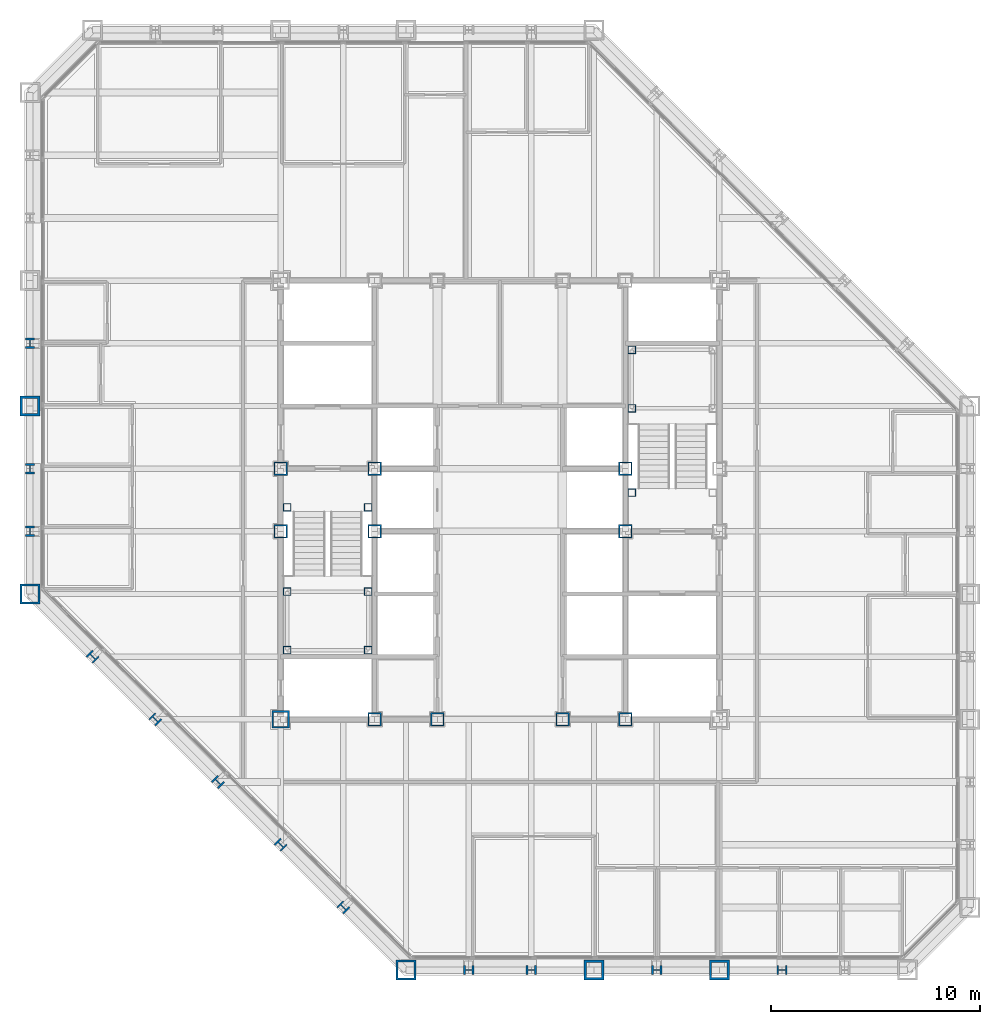
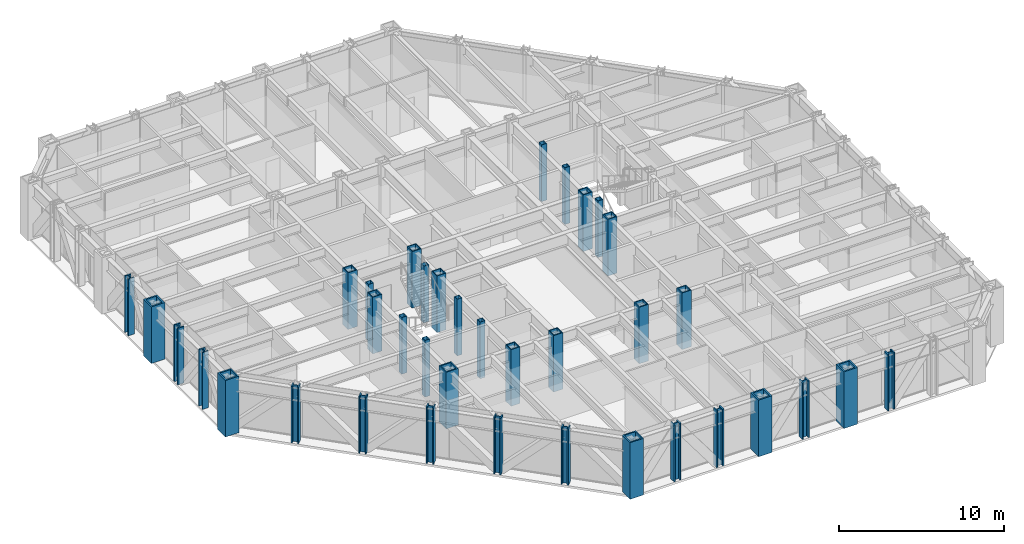
# One storey, part 1 of 16: 37 columns.
"""IFC4 building model written with IfcOpenShell, lengths in metres."""

from ifc_helpers import new_model, si_unit, direction, frame, origin, origin_2d, place, context, subcontext, project, spatial, hollow_rectangle, i_section, extrude, material, material_profile, profile_set, type_object, element, save


model = new_model("IFC4")

# Units and contexts
model_context = context("Model", 3, precision=1e-05, world=origin(), true_north=direction((0.0, 1.0)))
body_context = subcontext(model_context, "Body", "Model", "MODEL_VIEW")
ifc_project = project(units=[si_unit("LENGTHUNIT", "METRE"), si_unit("AREAUNIT", "SQUARE_METRE"), si_unit("VOLUMEUNIT", "CUBIC_METRE"), si_unit("PLANEANGLEUNIT", "RADIAN"), si_unit("MASSUNIT", "GRAM", prefix="KILO")], contexts=[model_context])

# Site, building, storey
site_placement = place(None, origin())
site = spatial("IfcSite", under=ifc_project, at=site_placement, CompositionType="ELEMENT")
building_placement = place(site_placement, origin())
building = spatial("IfcBuilding", under=site, at=building_placement, Name="Chuquiago Exchange Tower", CompositionType="ELEMENT")
storey_placement = place(building_placement, frame((0.0, 0.0, 157.199951171875)))
storey = spatial("IfcBuildingStorey", under=building, at=storey_placement, Name="L34", CompositionType="ELEMENT", Elevation=157.199951171875)

# Columns
ifc_material_1 = material(Name="Steel ASTM A992", Category="steel")
ifc_material_profile_1 = material_profile(ifc_material_1, i_section(OverallWidth=0.431884765625, OverallDepth=0.497802734375, WebThickness=0.0556640625, FlangeThickness=0.0888671875, at=origin_2d()), Name="W14X500")
ifc_profile_set_1 = profile_set([ifc_material_profile_1], Name="Steel ASTM A992")
column_type_1 = type_object("IfcColumnType", Name="C7 W14X500", PredefinedType="COLUMN", material=ifc_profile_set_1)
for number, where, z_axis, x_axis, name in (
    (1, (21.0, 0.0, 0.0), (0.0, 0.0, 1.0), (0.0, -1.0, 0.0), "COL-L34-21_0"),
    (2, (24.0, 0.0, 0.0), (0.0, 0.0, 1.0), (0.0, -1.0, 0.0), "COL-L34-24_0"),
    (3, (30.0, 0.0, 0.0), (0.0, 0.0, 1.0), (0.0, -1.0, 0.0), "COL-L34-30_0"),
    (4, (36.0, 0.0, 0.0), (0.0, 0.0, 1.0), (0.0, -1.0, 0.0), "COL-L34-36_0"),
    (5, (0.0, 30.0, 0.0), (0.0, 0.0, 1.0), (-1.0, 0.0, 0.0), "COL-L34-0_30"),
    (6, (0.0, 24.0, 0.0), (0.0, 0.0, 1.0), (-1.0, 0.0, 0.0), "COL-L34-0_24"),
    (7, (0.0, 21.0, 0.0), (0.0, 0.0, 1.0), (-1.0, 0.0, 0.0), "COL-L34-0_21"),
):
    element("IfcColumn", number, at=place(storey_placement, frame(where, z_axis=z_axis, x_axis=x_axis)), inside=storey, type_object=column_type_1, Name=name, PredefinedType="COLUMN", context=body_context, shape_type="SweptSolid", body=[
        extrude(i_section(OverallWidth=0.431884765625, OverallDepth=0.497802734375, WebThickness=0.0556640625, FlangeThickness=0.0888671875, at=origin_2d()), origin(), (0.0, 0.0, 1.0), 4.199951171875),
    ])
ifc_material_2 = material(Name="Steel ASTM A572 Grade 50", Category="steel")
ifc_material_profile_2 = material_profile(ifc_material_2, hollow_rectangle(XDim=0.85009765625, YDim=0.85009765625, WallThickness=0.0849609375, at=origin_2d()), Name="BOX850X850X85")
ifc_profile_set_2 = profile_set([ifc_material_profile_2], Name="Steel ASTM A572 Grade 50")
column_type_2 = type_object("IfcColumnType", Name="CC6 BOX850X850X85", PredefinedType="COLUMN", material=ifc_profile_set_2)
column_placement = place(storey_placement, frame((12.0, 12.0, 0.0), z_axis=(0.0, 0.0, 1.0), x_axis=(1.0, 0.0, 0.0)))
element("IfcColumn", 8, at=column_placement, inside=storey, type_object=column_type_2, Name="CCOL-L34-12_12", PredefinedType="COLUMN", context=body_context, shape_type="SweptSolid", body=[
    extrude(hollow_rectangle(XDim=0.85009765625, YDim=0.85009765625, WallThickness=0.0849609375, at=origin_2d()), origin(), (0.0, 0.0, 1.0), 4.199951171875),
])
ifc_material_3 = material(Name="Steel ASTM A572 Grade 50", Category="steel")
ifc_material_profile_3 = material_profile(ifc_material_3, hollow_rectangle(XDim=0.64990234375, YDim=0.64990234375, WallThickness=0.06494140625, at=origin_2d()), Name="BOX650X650X65")
ifc_profile_set_3 = profile_set([ifc_material_profile_3], Name="Steel ASTM A572 Grade 50")
column_type_3 = type_object("IfcColumnType", Name="CC7 BOX650X650X65", PredefinedType="COLUMN", material=ifc_profile_set_3)
for number, where, z_axis, x_axis, name in (
    (9, (16.5, 12.0, 0.0), (0.0, 0.0, 1.0), (1.0, 0.0, 0.0), "CCOL-L34-16.5_12"),
    (10, (19.5, 12.0, 0.0), (0.0, 0.0, 1.0), (1.0, 0.0, 0.0), "CCOL-L34-19.5_12"),
    (11, (25.5, 12.0, 0.0), (0.0, 0.0, 1.0), (1.0, 0.0, 0.0), "CCOL-L34-25.5_12"),
    (12, (28.5, 12.0, 0.0), (0.0, 0.0, 1.0), (1.0, 0.0, 0.0), "CCOL-L34-28.5_12"),
    (13, (12.0, 21.0, 0.0), (0.0, 0.0, 1.0), (1.0, 0.0, 0.0), "CCOL-L34-12_21"),
    (14, (12.0, 24.0, 0.0), (0.0, 0.0, 1.0), (1.0, 0.0, 0.0), "CCOL-L34-12_24"),
    (15, (16.5, 21.0, 0.0), (0.0, 0.0, 1.0), (1.0, 0.0, 0.0), "CCOL-L34-16.5_21"),
    (16, (16.5, 24.0, 0.0), (0.0, 0.0, 1.0), (1.0, 0.0, 0.0), "CCOL-L34-16.5_24"),
    (17, (28.5, 21.0, 0.0), (0.0, 0.0, 1.0), (1.0, 0.0, 0.0), "CCOL-L34-28.5_21"),
    (18, (28.5, 24.0, 0.0), (0.0, 0.0, 1.0), (1.0, 0.0, 0.0), "CCOL-L34-28.5_24"),
):
    element("IfcColumn", number, at=place(storey_placement, frame(where, z_axis=z_axis, x_axis=x_axis)), inside=storey, type_object=column_type_3, Name=name, PredefinedType="COLUMN", context=body_context, shape_type="SweptSolid", body=[
        extrude(hollow_rectangle(XDim=0.64990234375, YDim=0.64990234375, WallThickness=0.06494140625, at=origin_2d()), origin(), (0.0, 0.0, 1.0), 4.199951171875),
    ])
ifc_material_4 = material(Name="Steel ASTM A992", Category="steel")
ifc_material_profile_4 = material_profile(ifc_material_4, i_section(OverallWidth=0.4267578125, OverallDepth=0.482666015625, WebThickness=0.05126953125, FlangeThickness=0.08154296875, at=origin_2d()), Name="W14X455")
ifc_profile_set_4 = profile_set([ifc_material_profile_4], Name="Steel ASTM A992")
column_type_4 = type_object("IfcColumnType", Name="CK6 W14X455", PredefinedType="COLUMN", material=ifc_profile_set_4)
for number, where, z_axis, x_axis, name in (
    (19, (3.0, 15.0, 0.0), (0.0, 0.0, 1.0), (-0.707106781187, -0.707106781187, 0.0), "COL-L34-3_15"),
    (20, (6.0, 12.0, 0.0), (0.0, 0.0, 1.0), (-0.707106781187, -0.707106781187, 0.0), "COL-L34-6_12"),
    (21, (9.0, 9.0, 0.0), (0.0, 0.0, 1.0), (-0.707106781187, -0.707106781187, 0.0), "COL-L34-9_9"),
    (22, (12.0, 6.0, 0.0), (0.0, 0.0, 1.0), (-0.707106781187, -0.707106781187, 0.0), "COL-L34-12_6"),
    (23, (15.0, 3.0, 0.0), (0.0, 0.0, 1.0), (-0.707106781187, -0.707106781187, 0.0), "COL-L34-15_3"),
):
    element("IfcColumn", number, at=place(storey_placement, frame(where, z_axis=z_axis, x_axis=x_axis)), inside=storey, type_object=column_type_4, Name=name, PredefinedType="COLUMN", context=body_context, shape_type="SweptSolid", body=[
        extrude(i_section(OverallWidth=0.4267578125, OverallDepth=0.482666015625, WebThickness=0.05126953125, FlangeThickness=0.08154296875, at=origin_2d()), origin(), (0.0, 0.0, 1.0), 4.199951171875),
    ])
ifc_material_5 = material(Name="Steel ASTM A572 Grade 50", Category="steel")
ifc_material_profile_5 = material_profile(ifc_material_5, hollow_rectangle(XDim=0.949951171875, YDim=0.949951171875, WallThickness=0.094970703125, at=origin_2d()), Name="BOX950X950X95")
ifc_profile_set_5 = profile_set([ifc_material_profile_5], Name="Steel ASTM A572 Grade 50")
column_type_5 = type_object("IfcColumnType", Name="CN1 BOX950X950X95", PredefinedType="COLUMN", material=ifc_profile_set_5)
for number, where, z_axis, x_axis, name in (
    (24, (18.0, 0.0, 0.0), (0.0, 0.0, 1.0), (0.0, -1.0, 0.0), "COL-L34-18_0"),
    (25, (0.0, 18.0, 0.0), (0.0, 0.0, 1.0), (-1.0, 0.0, 0.0), "COL-L34-0_18"),
):
    element("IfcColumn", number, at=place(storey_placement, frame(where, z_axis=z_axis, x_axis=x_axis)), inside=storey, type_object=column_type_5, Name=name, PredefinedType="COLUMN", context=body_context, shape_type="SweptSolid", body=[
        extrude(hollow_rectangle(XDim=0.949951171875, YDim=0.949951171875, WallThickness=0.094970703125, at=origin_2d()), origin(), (0.0, 0.0, 1.0), 4.199951171875),
    ])
ifc_material_6 = material(Name="Steel ASTM A572 Grade 42", Category="steel")
ifc_material_profile_6 = material_profile(ifc_material_6, hollow_rectangle(XDim=0.949951171875, YDim=0.949951171875, WallThickness=0.110107421875, at=origin_2d()), Name="BOX950X950X110")
ifc_profile_set_6 = profile_set([ifc_material_profile_6], Name="Steel ASTM A572 Grade 42")
column_type_6 = type_object("IfcColumnType", Name="CT1 BOX950X950X110", PredefinedType="COLUMN", material=ifc_profile_set_6)
for number, where, z_axis, x_axis, name in (
    (26, (27.0, 0.0, 0.0), (0.0, 0.0, 1.0), (0.0, -1.0, 0.0), "COL-L34-27_0"),
    (27, (33.0, 0.0, 0.0), (0.0, 0.0, 1.0), (0.0, -1.0, 0.0), "COL-L34-33_0"),
    (28, (0.0, 27.0, 0.0), (0.0, 0.0, 1.0), (-1.0, 0.0, 0.0), "COL-L34-0_27"),
):
    element("IfcColumn", number, at=place(storey_placement, frame(where, z_axis=z_axis, x_axis=x_axis)), inside=storey, type_object=column_type_6, Name=name, PredefinedType="COLUMN", context=body_context, shape_type="SweptSolid", body=[
        extrude(hollow_rectangle(XDim=0.949951171875, YDim=0.949951171875, WallThickness=0.110107421875, at=origin_2d()), origin(), (0.0, 0.0, 1.0), 4.199951171875),
    ])
ifc_material_7 = material(Name="Steel ASTM A500 Grade C", Category="steel")
ifc_material_profile_7 = material_profile(ifc_material_7, hollow_rectangle(XDim=0.355712890625, YDim=0.355712890625, WallThickness=0.0146484375, at=origin_2d()), Name="HSS14X14X5/8")
ifc_profile_set_7 = profile_set([ifc_material_profile_7], Name="Steel ASTM A500 Grade C")
column_type_7 = type_object("IfcColumnType", Name="PT2 HSS14X14X5/8", PredefinedType="COLUMN", material=ifc_profile_set_7)
for number, where, z_axis, x_axis, name in (
    (29, (12.31005859375, 15.31005859375, 0.0), (0.0, 0.0, 1.0), (1.0, 0.0, 0.0), "Stair ST1 L34 landing post"),
    (30, (16.18994140625, 15.31005859375, 0.0), (0.0, 0.0, 1.0), (1.0, 0.0, 0.0), "Stair ST1 L34 landing post"),
    (31, (12.31005859375, 18.110107421875, 0.0), (0.0, 0.0, 1.0), (1.0, 0.0, 0.0), "Stair ST1 L34 landing post"),
    (32, (16.18994140625, 18.110107421875, 0.0), (0.0, 0.0, 1.0), (1.0, 0.0, 0.0), "Stair ST1 L34 landing post"),
    (33, (12.31005859375, 22.14990234375, 0.0), (0.0, 0.0, 1.0), (1.0, 0.0, 0.0), "Stair ST1 L34 landing post"),
    (34, (16.18994140625, 22.14990234375, 0.0), (0.0, 0.0, 1.0), (1.0, 0.0, 0.0), "Stair ST1 L34 landing post"),
    (35, (28.81005859375, 29.68994140625, 0.0), (0.0, 0.0, 1.0), (1.0, 0.0, 0.0), "Stair ST2 L34 landing post"),
    (36, (28.81005859375, 26.889892578125, 0.0), (0.0, 0.0, 1.0), (1.0, 0.0, 0.0), "Stair ST2 L34 landing post"),
    (37, (28.81005859375, 22.85009765625, 0.0), (0.0, 0.0, 1.0), (1.0, 0.0, 0.0), "Stair ST2 L34 landing post"),
):
    element("IfcColumn", number, at=place(storey_placement, frame(where, z_axis=z_axis, x_axis=x_axis)), inside=storey, type_object=column_type_7, Name=name, PredefinedType="COLUMN", context=body_context, shape_type="SweptSolid", body=[
        extrude(hollow_rectangle(XDim=0.355712890625, YDim=0.355712890625, WallThickness=0.0146484375, at=origin_2d()), origin(), (0.0, 0.0, 1.0), 4.199951171875),
    ])

save(model, "model.ifc")
